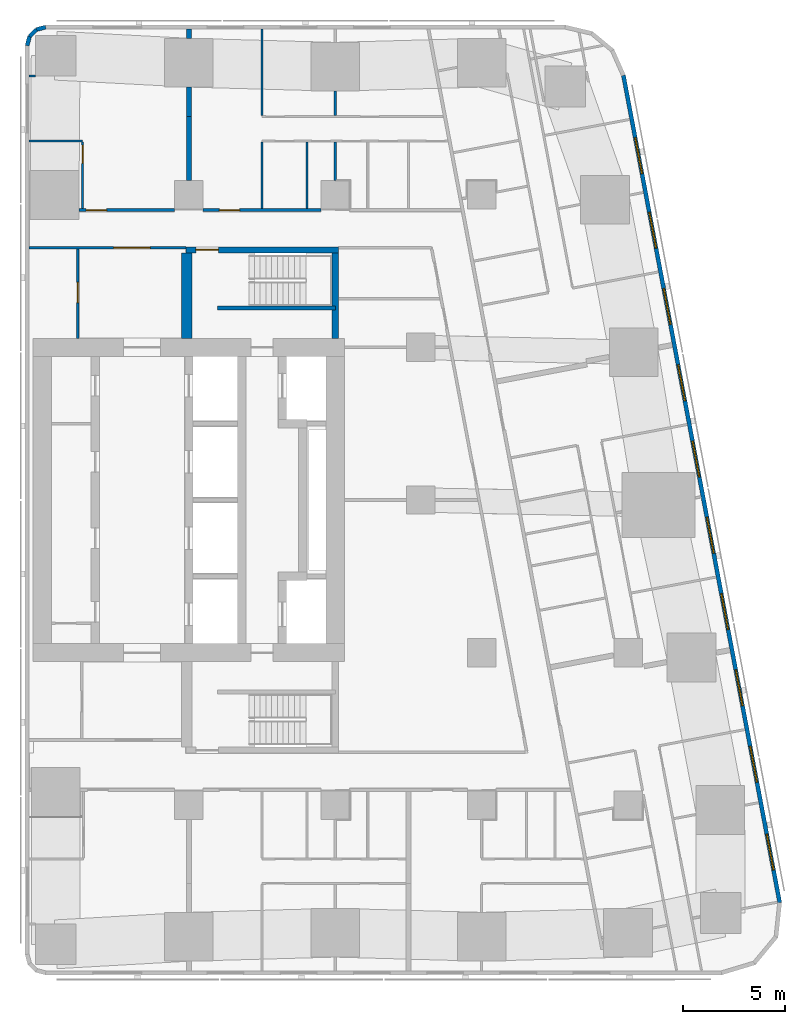
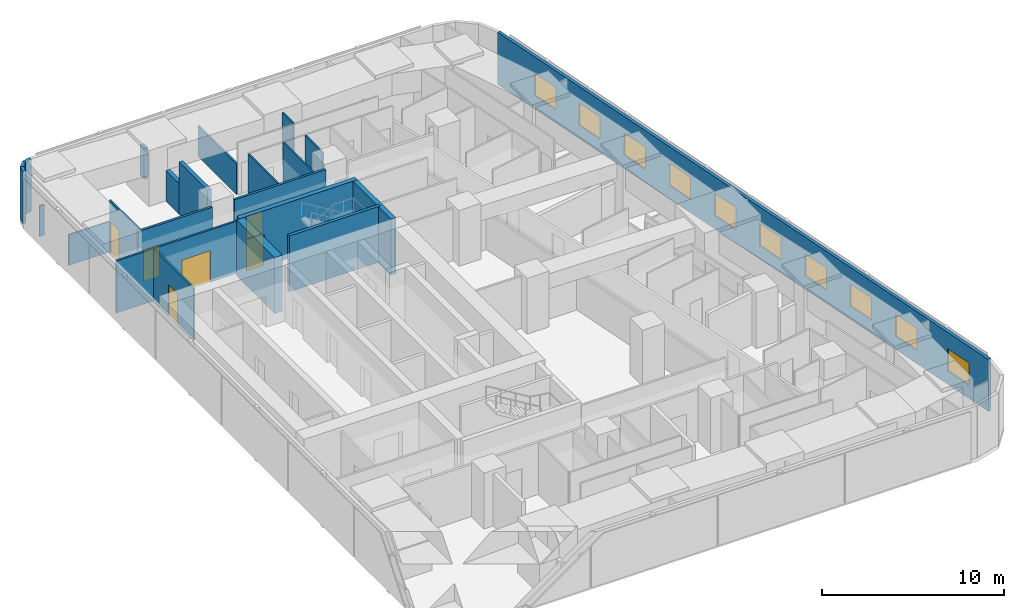
# One storey, part 6 of 10: 23 walls, 10 windows, 6 doors, 16 openings.
"""IFC4 building model written with IfcOpenShell, lengths in metres."""

from ifc_helpers import new_model, si_unit, direction, frame, frame_2d, origin, place, context, subcontext, project, spatial, rectangle, extrude, material, layer, layer_set, type_object, element, fill, save


model = new_model("IFC4")

# Units and contexts
model_context = context("Model", 3, precision=1e-05, world=origin(), true_north=direction((0.0, 1.0)))
body_context = subcontext(model_context, "Body", "Model", "MODEL_VIEW")
ifc_project = project(units=[si_unit("LENGTHUNIT", "METRE"), si_unit("AREAUNIT", "SQUARE_METRE"), si_unit("VOLUMEUNIT", "CUBIC_METRE"), si_unit("PLANEANGLEUNIT", "RADIAN"), si_unit("MASSUNIT", "GRAM", prefix="KILO")], contexts=[model_context])

# Site, building, storey
site_placement = place(None, origin())
site = spatial("IfcSite", under=ifc_project, at=site_placement, CompositionType="ELEMENT")
building_placement = place(site_placement, origin())
building = spatial("IfcBuilding", under=site, at=building_placement, Name="Sheger Commons Tower", CompositionType="ELEMENT")
storey_placement = place(building_placement, frame((0.0, 0.0, 238.699951171875)))
storey = spatial("IfcBuildingStorey", under=building, at=storey_placement, Name="L61", CompositionType="ELEMENT", Elevation=238.699951171875)

# Wall, opening, door
ifc_material_1 = material(Name="Hollow concrete block masonry, skimmed both sides", Category="masonry")
ifc_layer_1 = layer(ifc_material_1, 0.14990234375)
ifc_layer_set_1 = layer_set([ifc_layer_1], Name="CORRIDOR WALL 150")
wall_type_1 = type_object("IfcWallType", Name="CORRIDOR WALL 150", PredefinedType="SOLIDWALL", material=ifc_layer_set_1)
wall_1_placement = place(storey_placement, frame((16.200927734375, 36.75, 0.0), z_axis=(0.0, 0.0, 1.0), x_axis=(1.0, 0.0, 0.0)))
wall_1 = element("IfcWall", 1, at=wall_1_placement, inside=storey, type_object=wall_type_1, Name="Corridor wall L61", PredefinedType="SOLIDWALL", context=body_context, shape_type="SweptSolid", body=[
    extrude(rectangle(XDim=4.697998046875, YDim=0.14990234375, at=frame_2d((2.34912109375, 0.0))), origin(), (0.0, 0.0, 1.0), 3.5),
])
opening_1_placement = place(wall_1_placement, frame((0.35302734375, 0.0, 0.0)))
opening_1 = element("IfcOpeningElement", 2, at=opening_1_placement, cuts=wall_1, Name="Opening D1", PredefinedType="OPENING", context=body_context, shape_type="SweptSolid", body=[
    extrude(rectangle(XDim=1.0, YDim=2.10009765625, at=frame_2d((0.5, 1.050048828125))), frame((0.0, 0.0849609375, 0.0), z_axis=(0.0, -1.0, 0.0), x_axis=(1.0, 0.0, 0.0)), (0.0, 0.0, 1.0), 0.169921875),
])
ifc_material_2 = material(Name="Steel door set, fire rated", Category="steel")
door_type_1 = type_object("IfcDoorType", Name="FLAT ENTRANCE DOOR 1000x2100", OperationType="NOTDEFINED", PredefinedType="DOOR", material=ifc_material_2)
door_1_placement = place(opening_1_placement, origin())
door_1 = element("IfcDoor", 3, at=door_1_placement, inside=storey, type_object=door_type_1, Name="Flat entrance door", OperationType="SINGLE_SWING_RIGHT", OverallHeight=2.10009765625, OverallWidth=1.0, PredefinedType="DOOR", context=body_context, shape_type="SweptSolid", body=[
    extrude(rectangle(XDim=1.0, YDim=2.10009765625, at=frame_2d((0.5, 1.050048828125))), frame((0.0, 0.02490234375, 0.0), z_axis=(0.0, -1.0, 0.0), x_axis=(1.0, 0.0, 0.0)), (0.0, 0.0, 1.0), 0.050048828125),
])
fill(opening_1, door_1)

wall_2_placement = place(storey_placement, frame((22.301025390625, 36.75, 0.0), z_axis=(0.0, 0.0, 1.0), x_axis=(1.0, 0.0, 0.0)))
wall_2 = element("IfcWall", 4, at=wall_2_placement, inside=storey, type_object=wall_type_1, Name="Corridor wall L61", PredefinedType="SOLIDWALL", context=body_context, shape_type="SweptSolid", body=[
    extrude(rectangle(XDim=5.798095703125, YDim=0.14990234375, at=frame_2d((2.89892578125, 0.0))), origin(), (0.0, 0.0, 1.0), 3.5),
])
opening_2_placement = place(wall_2_placement, frame((0.799072265625, 0.0, 0.0)))
opening_2 = element("IfcOpeningElement", 5, at=opening_2_placement, cuts=wall_2, Name="Opening D1", PredefinedType="OPENING", context=body_context, shape_type="SweptSolid", body=[
    extrude(rectangle(XDim=1.0, YDim=2.10009765625, at=frame_2d((0.5, 1.050048828125))), frame((0.0, 0.0849609375, 0.0), z_axis=(0.0, -1.0, 0.0), x_axis=(1.0, 0.0, 0.0)), (0.0, 0.0, 1.0), 0.169921875),
])
door_2_placement = place(opening_2_placement, origin())
door_2 = element("IfcDoor", 6, at=door_2_placement, inside=storey, type_object=door_type_1, Name="Flat entrance door", OperationType="SINGLE_SWING_LEFT", OverallHeight=2.10009765625, OverallWidth=1.0, PredefinedType="DOOR", context=body_context, shape_type="SweptSolid", body=[
    extrude(rectangle(XDim=1.0, YDim=2.10009765625, at=frame_2d((0.5, 1.050048828125))), frame((0.0, 0.02490234375, 0.0), z_axis=(0.0, -1.0, 0.0), x_axis=(1.0, 0.0, 0.0)), (0.0, 0.0, 1.0), 0.050048828125),
])
fill(opening_2, door_2)

# Walls
ifc_material_3 = material(Name="Dense concrete block masonry, plastered both sides (separating wall between flats)", Category="masonry")
ifc_layer_2 = layer(ifc_material_3, 0.25)
ifc_layer_set_2 = layer_set([ifc_layer_2], Name="DEMISING WALL 250")
wall_type_2 = type_object("IfcWallType", Name="DEMISING WALL 250", PredefinedType="SOLIDWALL", material=ifc_layer_set_2)
wall_3_placement = place(storey_placement, frame((21.60009765625, 41.35009765625, 0.0), z_axis=(0.0, 0.0, 1.0), x_axis=(0.0, 1.0, 0.0)))
element("IfcWall", 7, at=wall_3_placement, inside=storey, type_object=wall_type_2, Name="Demising wall L61", PredefinedType="SOLIDWALL", context=body_context, shape_type="SweptSolid", body=[
    extrude(rectangle(XDim=1.448974609375, YDim=0.25, at=frame_2d((0.724609375, 0.0))), origin(), (0.0, 0.0, 1.0), 2.050048828125),
])
wall_4_placement = place(storey_placement, frame((21.60009765625, 45.200927734375, 0.0), z_axis=(0.0, 0.0, 1.0), x_axis=(0.0, 1.0, 0.0)))
element("IfcWall", 8, at=wall_4_placement, inside=storey, type_object=wall_type_2, Name="Demising wall L61", PredefinedType="SOLIDWALL", context=body_context, shape_type="SweptSolid", body=[
    extrude(rectangle(XDim=0.448974609375, YDim=0.25, at=frame_2d((0.224609375, 0.0))), origin(), (0.0, 0.0, 1.0), 2.050048828125),
])
wall_5_placement = place(storey_placement, frame((21.60009765625, 38.200927734375, 0.0), z_axis=(0.0, 0.0, 1.0), x_axis=(0.0, 1.0, 0.0)))
element("IfcWall", 9, at=wall_5_placement, inside=storey, type_object=wall_type_2, Name="Demising wall L61", PredefinedType="SOLIDWALL", context=body_context, shape_type="SweptSolid", body=[
    extrude(rectangle(XDim=3.149169921875, YDim=0.25, at=frame_2d((1.57470703125, 0.0))), origin(), (0.0, 0.0, 1.0), 3.5),
])

# Wall, openings, windows
ifc_material_4 = material(Name="Rendered concrete block masonry, dark grey", Category="masonry")
ifc_layer_3 = layer(ifc_material_4, 0.199951171875)
ifc_layer_set_3 = layer_set([ifc_layer_3], Name="FACADE WALL 200")
wall_type_3 = type_object("IfcWallType", Name="FACADE WALL 200", PredefinedType="SOLIDWALL", material=ifc_layer_set_3)
wall_6_placement = place(storey_placement, frame((50.653076171875, 2.702880859375, 0.0), z_axis=(0.0, 0.0, 1.0), x_axis=(-0.185612026696, 0.982623109613, 0.0)))
wall_6 = element("IfcWall", 10, at=wall_6_placement, inside=storey, type_object=wall_type_3, Name="Facade wall L61", PredefinedType="SOLIDWALL", context=body_context, shape_type="SweptSolid", body=[
    extrude(rectangle(XDim=41.393310546875, YDim=0.199951171875, at=frame_2d((20.69677734375, 0.0))), origin(), (0.0, 0.0, 1.0), 3.5),
])
opening_3_placement = place(wall_6_placement, frame((1.633056640625, 0.0, 0.89990234375)))
opening_3 = element("IfcOpeningElement", 11, at=opening_3_placement, cuts=wall_6, Name="Opening W2", PredefinedType="OPENING", context=body_context, shape_type="SweptSolid", body=[
    extrude(rectangle(XDim=1.800048828125, YDim=1.5, at=frame_2d((0.89990234375, 0.75))), frame((0.0, 0.10986328125, 0.0), z_axis=(0.0, -1.0, 0.0), x_axis=(1.0, 0.0, 0.0)), (0.0, 0.0, 1.0), 0.219970703125),
])
opening_4_placement = place(wall_6_placement, frame((6.031982421875, 0.0, 0.89990234375)))
opening_4 = element("IfcOpeningElement", 12, at=opening_4_placement, cuts=wall_6, Name="Opening W2", PredefinedType="OPENING", context=body_context, shape_type="SweptSolid", body=[
    extrude(rectangle(XDim=1.800048828125, YDim=1.5, at=frame_2d((0.89990234375, 0.75))), frame((0.0, 0.10986328125, 0.0), z_axis=(0.0, -1.0, 0.0), x_axis=(1.0, 0.0, 0.0)), (0.0, 0.0, 1.0), 0.219970703125),
])
opening_5_placement = place(wall_6_placement, frame((9.847900390625, 0.0, 0.89990234375)))
opening_5 = element("IfcOpeningElement", 13, at=opening_5_placement, cuts=wall_6, Name="Opening W2", PredefinedType="OPENING", context=body_context, shape_type="SweptSolid", body=[
    extrude(rectangle(XDim=1.800048828125, YDim=1.5, at=frame_2d((0.89990234375, 0.75))), frame((0.0, 0.10986328125, 0.0), z_axis=(0.0, -1.0, 0.0), x_axis=(1.0, 0.0, 0.0)), (0.0, 0.0, 1.0), 0.219970703125),
])
opening_6_placement = place(wall_6_placement, frame((13.6640625, 0.0, 0.89990234375)))
opening_6 = element("IfcOpeningElement", 14, at=opening_6_placement, cuts=wall_6, Name="Opening W2", PredefinedType="OPENING", context=body_context, shape_type="SweptSolid", body=[
    extrude(rectangle(XDim=1.800048828125, YDim=1.5, at=frame_2d((0.89990234375, 0.75))), frame((0.0, 0.10986328125, 0.0), z_axis=(0.0, -1.0, 0.0), x_axis=(1.0, 0.0, 0.0)), (0.0, 0.0, 1.0), 0.219970703125),
])
opening_7_placement = place(wall_6_placement, frame((17.48095703125, 0.0, 0.89990234375)))
opening_7 = element("IfcOpeningElement", 15, at=opening_7_placement, cuts=wall_6, Name="Opening W2", PredefinedType="OPENING", context=body_context, shape_type="SweptSolid", body=[
    extrude(rectangle(XDim=1.800048828125, YDim=1.5, at=frame_2d((0.89990234375, 0.75))), frame((0.0, 0.10986328125, 0.0), z_axis=(0.0, -1.0, 0.0), x_axis=(1.0, 0.0, 0.0)), (0.0, 0.0, 1.0), 0.219970703125),
])
opening_8_placement = place(wall_6_placement, frame((21.297119140625, 0.0, 0.89990234375)))
opening_8 = element("IfcOpeningElement", 16, at=opening_8_placement, cuts=wall_6, Name="Opening W2", PredefinedType="OPENING", context=body_context, shape_type="SweptSolid", body=[
    extrude(rectangle(XDim=1.800048828125, YDim=1.5, at=frame_2d((0.89990234375, 0.75))), frame((0.0, 0.10986328125, 0.0), z_axis=(0.0, -1.0, 0.0), x_axis=(1.0, 0.0, 0.0)), (0.0, 0.0, 1.0), 0.219970703125),
])
opening_9_placement = place(wall_6_placement, frame((25.113037109375, 0.0, 0.89990234375)))
opening_9 = element("IfcOpeningElement", 17, at=opening_9_placement, cuts=wall_6, Name="Opening W2", PredefinedType="OPENING", context=body_context, shape_type="SweptSolid", body=[
    extrude(rectangle(XDim=1.800048828125, YDim=1.5, at=frame_2d((0.89990234375, 0.75))), frame((0.0, 0.10986328125, 0.0), z_axis=(0.0, -1.0, 0.0), x_axis=(1.0, 0.0, 0.0)), (0.0, 0.0, 1.0), 0.219970703125),
])
opening_10_placement = place(wall_6_placement, frame((28.929931640625, 0.0, 0.89990234375)))
opening_10 = element("IfcOpeningElement", 18, at=opening_10_placement, cuts=wall_6, Name="Opening W2", PredefinedType="OPENING", context=body_context, shape_type="SweptSolid", body=[
    extrude(rectangle(XDim=1.800048828125, YDim=1.5, at=frame_2d((0.89990234375, 0.75))), frame((0.0, 0.10986328125, 0.0), z_axis=(0.0, -1.0, 0.0), x_axis=(1.0, 0.0, 0.0)), (0.0, 0.0, 1.0), 0.219970703125),
])
opening_11_placement = place(wall_6_placement, frame((32.74609375, 0.0, 0.89990234375)))
opening_11 = element("IfcOpeningElement", 19, at=opening_11_placement, cuts=wall_6, Name="Opening W2", PredefinedType="OPENING", context=body_context, shape_type="SweptSolid", body=[
    extrude(rectangle(XDim=1.800048828125, YDim=1.5, at=frame_2d((0.89990234375, 0.75))), frame((0.0, 0.10986328125, 0.0), z_axis=(0.0, -1.0, 0.0), x_axis=(1.0, 0.0, 0.0)), (0.0, 0.0, 1.0), 0.219970703125),
])
opening_12_placement = place(wall_6_placement, frame((36.48095703125, 0.0, 0.89990234375)))
opening_12 = element("IfcOpeningElement", 20, at=opening_12_placement, cuts=wall_6, Name="Opening W2", PredefinedType="OPENING", context=body_context, shape_type="SweptSolid", body=[
    extrude(rectangle(XDim=1.800048828125, YDim=1.5, at=frame_2d((0.89990234375, 0.75))), frame((0.0, 0.10986328125, 0.0), z_axis=(0.0, -1.0, 0.0), x_axis=(1.0, 0.0, 0.0)), (0.0, 0.0, 1.0), 0.219970703125),
])
ifc_material_5 = material(Name="Black aluminium frame, dark tinted double glazing", Category="aluminium")
window_type = type_object("IfcWindowType", Name="WINDOW W2 1800x1500", PartitioningType="SINGLE_PANEL", PredefinedType="WINDOW", material=ifc_material_5)
window_1_placement = place(opening_3_placement, origin())
window_1 = element("IfcWindow", 21, at=window_1_placement, inside=storey, type_object=window_type, Name="Window W2 1800X1500", OverallHeight=1.5, OverallWidth=1.800048828125, PartitioningType="SINGLE_PANEL", PredefinedType="WINDOW", context=body_context, shape_type="SweptSolid", body=[
    extrude(rectangle(XDim=1.800048828125, YDim=1.5, at=frame_2d((0.89990234375, 0.75))), frame((0.0, 0.030029296875, 0.0), z_axis=(0.0, -1.0, 0.0), x_axis=(1.0, 0.0, 0.0)), (0.0, 0.0, 1.0), 0.06005859375),
])
fill(opening_3, window_1)
window_2_placement = place(opening_4_placement, origin())
window_2 = element("IfcWindow", 22, at=window_2_placement, inside=storey, type_object=window_type, Name="Window W2 1800X1500", OverallHeight=1.5, OverallWidth=1.800048828125, PartitioningType="SINGLE_PANEL", PredefinedType="WINDOW", context=body_context, shape_type="SweptSolid", body=[
    extrude(rectangle(XDim=1.800048828125, YDim=1.5, at=frame_2d((0.89990234375, 0.75))), frame((0.0, 0.030029296875, 0.0), z_axis=(0.0, -1.0, 0.0), x_axis=(1.0, 0.0, 0.0)), (0.0, 0.0, 1.0), 0.06005859375),
])
fill(opening_4, window_2)
window_3_placement = place(opening_5_placement, origin())
window_3 = element("IfcWindow", 23, at=window_3_placement, inside=storey, type_object=window_type, Name="Window W2 1800X1500", OverallHeight=1.5, OverallWidth=1.800048828125, PartitioningType="SINGLE_PANEL", PredefinedType="WINDOW", context=body_context, shape_type="SweptSolid", body=[
    extrude(rectangle(XDim=1.800048828125, YDim=1.5, at=frame_2d((0.89990234375, 0.75))), frame((0.0, 0.030029296875, 0.0), z_axis=(0.0, -1.0, 0.0), x_axis=(1.0, 0.0, 0.0)), (0.0, 0.0, 1.0), 0.06005859375),
])
fill(opening_5, window_3)
window_4_placement = place(opening_6_placement, origin())
window_4 = element("IfcWindow", 24, at=window_4_placement, inside=storey, type_object=window_type, Name="Window W2 1800X1500", OverallHeight=1.5, OverallWidth=1.800048828125, PartitioningType="SINGLE_PANEL", PredefinedType="WINDOW", context=body_context, shape_type="SweptSolid", body=[
    extrude(rectangle(XDim=1.800048828125, YDim=1.5, at=frame_2d((0.89990234375, 0.75))), frame((0.0, 0.030029296875, 0.0), z_axis=(0.0, -1.0, 0.0), x_axis=(1.0, 0.0, 0.0)), (0.0, 0.0, 1.0), 0.06005859375),
])
fill(opening_6, window_4)
window_5_placement = place(opening_7_placement, origin())
window_5 = element("IfcWindow", 25, at=window_5_placement, inside=storey, type_object=window_type, Name="Window W2 1800X1500", OverallHeight=1.5, OverallWidth=1.800048828125, PartitioningType="SINGLE_PANEL", PredefinedType="WINDOW", context=body_context, shape_type="SweptSolid", body=[
    extrude(rectangle(XDim=1.800048828125, YDim=1.5, at=frame_2d((0.89990234375, 0.75))), frame((0.0, 0.030029296875, 0.0), z_axis=(0.0, -1.0, 0.0), x_axis=(1.0, 0.0, 0.0)), (0.0, 0.0, 1.0), 0.06005859375),
])
fill(opening_7, window_5)
window_6_placement = place(opening_8_placement, origin())
window_6 = element("IfcWindow", 26, at=window_6_placement, inside=storey, type_object=window_type, Name="Window W2 1800X1500", OverallHeight=1.5, OverallWidth=1.800048828125, PartitioningType="SINGLE_PANEL", PredefinedType="WINDOW", context=body_context, shape_type="SweptSolid", body=[
    extrude(rectangle(XDim=1.800048828125, YDim=1.5, at=frame_2d((0.89990234375, 0.75))), frame((0.0, 0.030029296875, 0.0), z_axis=(0.0, -1.0, 0.0), x_axis=(1.0, 0.0, 0.0)), (0.0, 0.0, 1.0), 0.06005859375),
])
fill(opening_8, window_6)
window_7_placement = place(opening_9_placement, origin())
window_7 = element("IfcWindow", 27, at=window_7_placement, inside=storey, type_object=window_type, Name="Window W2 1800X1500", OverallHeight=1.5, OverallWidth=1.800048828125, PartitioningType="SINGLE_PANEL", PredefinedType="WINDOW", context=body_context, shape_type="SweptSolid", body=[
    extrude(rectangle(XDim=1.800048828125, YDim=1.5, at=frame_2d((0.89990234375, 0.75))), frame((0.0, 0.030029296875, 0.0), z_axis=(0.0, -1.0, 0.0), x_axis=(1.0, 0.0, 0.0)), (0.0, 0.0, 1.0), 0.06005859375),
])
fill(opening_9, window_7)
window_8_placement = place(opening_10_placement, origin())
window_8 = element("IfcWindow", 28, at=window_8_placement, inside=storey, type_object=window_type, Name="Window W2 1800X1500", OverallHeight=1.5, OverallWidth=1.800048828125, PartitioningType="SINGLE_PANEL", PredefinedType="WINDOW", context=body_context, shape_type="SweptSolid", body=[
    extrude(rectangle(XDim=1.800048828125, YDim=1.5, at=frame_2d((0.89990234375, 0.75))), frame((0.0, 0.030029296875, 0.0), z_axis=(0.0, -1.0, 0.0), x_axis=(1.0, 0.0, 0.0)), (0.0, 0.0, 1.0), 0.06005859375),
])
fill(opening_10, window_8)
window_9_placement = place(opening_11_placement, origin())
window_9 = element("IfcWindow", 29, at=window_9_placement, inside=storey, type_object=window_type, Name="Window W2 1800X1500", OverallHeight=1.5, OverallWidth=1.800048828125, PartitioningType="SINGLE_PANEL", PredefinedType="WINDOW", context=body_context, shape_type="SweptSolid", body=[
    extrude(rectangle(XDim=1.800048828125, YDim=1.5, at=frame_2d((0.89990234375, 0.75))), frame((0.0, 0.030029296875, 0.0), z_axis=(0.0, -1.0, 0.0), x_axis=(1.0, 0.0, 0.0)), (0.0, 0.0, 1.0), 0.06005859375),
])
fill(opening_11, window_9)
window_10_placement = place(opening_12_placement, origin())
window_10 = element("IfcWindow", 30, at=window_10_placement, inside=storey, type_object=window_type, Name="Window W2 1800X1500", OverallHeight=1.5, OverallWidth=1.800048828125, PartitioningType="SINGLE_PANEL", PredefinedType="WINDOW", context=body_context, shape_type="SweptSolid", body=[
    extrude(rectangle(XDim=1.800048828125, YDim=1.5, at=frame_2d((0.89990234375, 0.75))), frame((0.0, 0.030029296875, 0.0), z_axis=(0.0, -1.0, 0.0), x_axis=(1.0, 0.0, 0.0)), (0.0, 0.0, 1.0), 0.06005859375),
])
fill(opening_12, window_10)

# Walls
wall_7_placement = place(storey_placement, frame((14.56298828125, 45.75, 0.0), z_axis=(0.0, 0.0, 1.0), x_axis=(-0.965655254015, -0.259826731483, 0.0)))
element("IfcWall", 31, at=wall_7_placement, inside=storey, type_object=wall_type_3, Name="Facade wall L61", PredefinedType="SOLIDWALL", context=body_context, shape_type="SweptSolid", body=[
    extrude(rectangle(XDim=0.477294921875, YDim=0.199951171875, at=frame_2d((0.23876953125, 0.0))), origin(), (0.0, 0.0, 1.0), 3.5),
])
wall_8_placement = place(storey_placement, frame((14.10205078125, 45.6259765625, 0.0), z_axis=(0.0, 0.0, 1.0), x_axis=(-0.707369890659, -0.706843573776, 0.0)))
element("IfcWall", 32, at=wall_8_placement, inside=storey, type_object=wall_type_3, Name="Facade wall L61", PredefinedType="SOLIDWALL", context=body_context, shape_type="SweptSolid", body=[
    extrude(rectangle(XDim=0.4638671875, YDim=0.199951171875, at=frame_2d((0.23193359375, 0.0))), origin(), (0.0, 0.0, 1.0), 3.5),
])
wall_9_placement = place(storey_placement, frame((13.77392578125, 45.298095703125, 0.0), z_axis=(0.0, 0.0, 1.0), x_axis=(-0.259698463175, -0.965689757751, 0.0)))
element("IfcWall", 33, at=wall_9_placement, inside=storey, type_object=wall_type_3, Name="Facade wall L61", PredefinedType="SOLIDWALL", context=body_context, shape_type="SweptSolid", body=[
    extrude(rectangle(XDim=0.4775390625, YDim=0.199951171875, at=frame_2d((0.23876953125, 0.0))), origin(), (0.0, 0.0, 1.0), 3.5),
])
ifc_material_6 = material(Name="Gypsum board on steel studs", Category="steel")
ifc_layer_4 = layer(ifc_material_6, 0.10009765625)
ifc_layer_set_4 = layer_set([ifc_layer_4], Name="PARTITION 100")
wall_type_4 = type_object("IfcWallType", Name="PARTITION 100", PredefinedType="PARTITIONING", material=ifc_layer_set_4)
wall_10_placement = place(storey_placement, frame((14.053955078125, 43.345947265625, 0.0), z_axis=(0.0, 0.0, 1.0), x_axis=(-1.0, 0.0, 0.0)))
element("IfcWall", 34, at=wall_10_placement, inside=storey, type_object=wall_type_4, Name="Partition L61", PredefinedType="PARTITIONING", context=body_context, shape_type="SweptSolid", body=[
    extrude(rectangle(XDim=0.303955078125, YDim=0.10009765625, at=frame_2d((0.15185546875, 0.0))), origin(), (0.0, 0.0, 1.0), 2.050048828125),
])
wall_11_placement = place(storey_placement, frame((13.75, 40.14990234375, 0.0), z_axis=(0.0, 0.0, 1.0), x_axis=(1.0, 0.0, 0.0)))
element("IfcWall", 35, at=wall_11_placement, inside=storey, type_object=wall_type_4, Name="Partition L61", PredefinedType="PARTITIONING", context=body_context, shape_type="SweptSolid", body=[
    extrude(rectangle(XDim=2.62890625, YDim=0.10009765625, at=frame_2d((1.314453125, 0.0))), origin(), (0.0, 0.0, 1.0), 2.050048828125),
])

# Wall, opening, door
wall_12_placement = place(storey_placement, frame((16.37890625, 36.824951171875, 0.0), z_axis=(0.0, 0.0, 1.0), x_axis=(0.0, 1.0, 0.0)))
wall_12 = element("IfcWall", 36, at=wall_12_placement, inside=storey, type_object=wall_type_4, Name="Partition L61", PredefinedType="PARTITIONING", context=body_context, shape_type="SweptSolid", body=[
    extrude(rectangle(XDim=3.275146484375, YDim=0.10009765625, at=frame_2d((1.6376953125, 0.0))), origin(), (0.0, 0.0, 1.0), 3.5),
])
opening_13_placement = place(wall_12_placement, frame((2.22509765625, 0.0, 0.0)))
opening_13 = element("IfcOpeningElement", 37, at=opening_13_placement, cuts=wall_12, Name="Opening D2", PredefinedType="OPENING", context=body_context, shape_type="SweptSolid", body=[
    extrude(rectangle(XDim=0.89990234375, YDim=2.10009765625, at=frame_2d((0.449951171875, 1.050048828125))), frame((0.0, 0.06005859375, 0.0), z_axis=(0.0, -1.0, 0.0), x_axis=(1.0, 0.0, 0.0)), (0.0, 0.0, 1.0), 0.1201171875),
])
ifc_material_7 = material(Name="Timber door set", Category="wood")
door_type_2 = type_object("IfcDoorType", Name="INTERNAL DOOR 900x2100", OperationType="NOTDEFINED", PredefinedType="DOOR", material=ifc_material_7)
door_3_placement = place(opening_13_placement, origin())
door_3 = element("IfcDoor", 38, at=door_3_placement, inside=storey, type_object=door_type_2, Name="Shower room door", OperationType="SINGLE_SWING_RIGHT", OverallHeight=2.10009765625, OverallWidth=0.89990234375, PredefinedType="DOOR", context=body_context, shape_type="SweptSolid", body=[
    extrude(rectangle(XDim=0.89990234375, YDim=2.10009765625, at=frame_2d((0.449951171875, 1.050048828125))), frame((0.0, 0.02490234375, 0.0), z_axis=(0.0, -1.0, 0.0), x_axis=(1.0, 0.0, 0.0)), (0.0, 0.0, 1.0), 0.050048828125),
])
fill(opening_13, door_3)

# Walls
wall_13_placement = place(storey_placement, frame((25.199951171875, 41.39990234375, 0.0), z_axis=(0.0, 0.0, 1.0), x_axis=(0.0, 1.0, 0.0)))
element("IfcWall", 39, at=wall_13_placement, inside=storey, type_object=wall_type_4, Name="Partition L61", PredefinedType="PARTITIONING", context=body_context, shape_type="SweptSolid", body=[
    extrude(rectangle(XDim=4.25, YDim=0.10009765625, at=frame_2d((2.125, 0.0))), origin(), (0.0, 0.0, 1.0), 2.050048828125),
])
wall_14_placement = place(storey_placement, frame((28.800048828125, 41.39990234375, 0.0), z_axis=(0.0, 0.0, 1.0), x_axis=(0.0, 1.0, 0.0)))
element("IfcWall", 40, at=wall_14_placement, inside=storey, type_object=wall_type_4, Name="Partition L61", PredefinedType="PARTITIONING", context=body_context, shape_type="SweptSolid", body=[
    extrude(rectangle(XDim=1.19921875, YDim=0.10009765625, at=frame_2d((0.599609375, 0.0))), origin(), (0.0, 0.0, 1.0), 3.5),
])
wall_15_placement = place(storey_placement, frame((25.199951171875, 36.824951171875, 0.0), z_axis=(0.0, 0.0, 1.0), x_axis=(0.0, 1.0, 0.0)))
element("IfcWall", 41, at=wall_15_placement, inside=storey, type_object=wall_type_4, Name="Partition L61", PredefinedType="PARTITIONING", context=body_context, shape_type="SweptSolid", body=[
    extrude(rectangle(XDim=3.275146484375, YDim=0.10009765625, at=frame_2d((1.6376953125, 0.0))), origin(), (0.0, 0.0, 1.0), 3.5),
])
wall_16_placement = place(storey_placement, frame((28.800048828125, 38.200927734375, 0.0), z_axis=(0.0, 0.0, 1.0), x_axis=(0.0, 1.0, 0.0)))
element("IfcWall", 42, at=wall_16_placement, inside=storey, type_object=wall_type_4, Name="Partition L61", PredefinedType="PARTITIONING", context=body_context, shape_type="SweptSolid", body=[
    extrude(rectangle(XDim=1.899169921875, YDim=0.10009765625, at=frame_2d((0.94970703125, 0.0))), origin(), (0.0, 0.0, 1.0), 3.5),
])
wall_17_placement = place(storey_placement, frame((27.409912109375, 36.824951171875, 0.0), z_axis=(0.0, 0.0, 1.0), x_axis=(0.0, 1.0, 0.0)))
element("IfcWall", 43, at=wall_17_placement, inside=storey, type_object=wall_type_4, Name="Partition L61", PredefinedType="PARTITIONING", context=body_context, shape_type="SweptSolid", body=[
    extrude(rectangle(XDim=3.275146484375, YDim=0.10009765625, at=frame_2d((1.6376953125, 0.0))), origin(), (0.0, 0.0, 1.0), 3.5),
])

# Wall, opening, door
ifc_material_8 = material(Name="Gypsum board on steel studs, two layers each side, fire rated", Category="steel")
ifc_layer_5 = layer(ifc_material_8, 0.125)
ifc_layer_set_5 = layer_set([ifc_layer_5], Name="SERVICE WALL 125")
wall_type_5 = type_object("IfcWallType", Name="SERVICE WALL 125", PredefinedType="PARTITIONING", material=ifc_layer_set_5)
wall_18_placement = place(storey_placement, frame((13.75, 34.89990234375, 0.0), z_axis=(0.0, 0.0, 1.0), x_axis=(1.0, 0.0, 0.0)))
wall_18 = element("IfcWall", 44, at=wall_18_placement, inside=storey, type_object=wall_type_5, Name="Service room wall L61", PredefinedType="PARTITIONING", context=body_context, shape_type="SweptSolid", body=[
    extrude(rectangle(XDim=7.699951171875, YDim=0.125, at=frame_2d((3.85009765625, 0.0))), origin(), (0.0, 0.0, 1.0), 3.5),
])
opening_14_placement = place(wall_18_placement, frame((4.14990234375, 0.0, 0.0)))
opening_14 = element("IfcOpeningElement", 45, at=opening_14_placement, cuts=wall_18, Name="Opening D6", PredefinedType="OPENING", context=body_context, shape_type="SweptSolid", body=[
    extrude(rectangle(XDim=1.800048828125, YDim=2.10009765625, at=frame_2d((0.89990234375, 1.050048828125))), frame((0.0, 0.072509765625, 0.0), z_axis=(0.0, -1.0, 0.0), x_axis=(1.0, 0.0, 0.0)), (0.0, 0.0, 1.0), 0.14501953125),
])
ifc_material_9 = material(Name="Steel door set, fire rated", Category="steel")
door_type_3 = type_object("IfcDoorType", Name="LOBBY DOUBLE DOOR 1800x2100", OperationType="DOUBLE_DOOR_SINGLE_SWING", PredefinedType="DOOR", material=ifc_material_9)
door_4_placement = place(opening_14_placement, origin())
door_4 = element("IfcDoor", 46, at=door_4_placement, inside=storey, type_object=door_type_3, Name="Lift lobby north door", OperationType="DOUBLE_DOOR_SINGLE_SWING", OverallHeight=2.10009765625, OverallWidth=1.800048828125, PredefinedType="DOOR", context=body_context, shape_type="SweptSolid", body=[
    extrude(rectangle(XDim=1.800048828125, YDim=2.10009765625, at=frame_2d((0.89990234375, 1.050048828125))), frame((0.0, 0.02490234375, 0.0), z_axis=(0.0, -1.0, 0.0), x_axis=(1.0, 0.0, 0.0)), (0.0, 0.0, 1.0), 0.050048828125),
])
fill(opening_14, door_4)

wall_19_placement = place(storey_placement, frame((16.14990234375, 30.449951171875, 0.0), z_axis=(0.0, 0.0, 1.0), x_axis=(0.0, 1.0, 0.0)))
wall_19 = element("IfcWall", 47, at=wall_19_placement, inside=storey, type_object=wall_type_5, Name="Service room wall L61", PredefinedType="PARTITIONING", context=body_context, shape_type="SweptSolid", body=[
    extrude(rectangle(XDim=4.386962890625, YDim=0.125, at=frame_2d((2.193359375, 0.0))), origin(), (0.0, 0.0, 1.0), 3.5),
])
opening_15_placement = place(wall_19_placement, frame((1.75, 0.0, 0.0)))
opening_15 = element("IfcOpeningElement", 48, at=opening_15_placement, cuts=wall_19, Name="Opening D4", PredefinedType="OPENING", context=body_context, shape_type="SweptSolid", body=[
    extrude(rectangle(XDim=1.0, YDim=2.10009765625, at=frame_2d((0.5, 1.050048828125))), frame((0.0, 0.072509765625, 0.0), z_axis=(0.0, -1.0, 0.0), x_axis=(1.0, 0.0, 0.0)), (0.0, 0.0, 1.0), 0.14501953125),
])
ifc_material_10 = material(Name="Steel door set, fire rated", Category="steel")
door_type_4 = type_object("IfcDoorType", Name="SERVICE DOOR 1000x2100", OperationType="NOTDEFINED", PredefinedType="DOOR", material=ifc_material_10)
door_5_placement = place(opening_15_placement, origin())
door_5 = element("IfcDoor", 49, at=door_5_placement, inside=storey, type_object=door_type_4, Name="Telecom room door", OperationType="SINGLE_SWING_RIGHT", OverallHeight=2.10009765625, OverallWidth=1.0, PredefinedType="DOOR", context=body_context, shape_type="SweptSolid", body=[
    extrude(rectangle(XDim=1.0, YDim=2.10009765625, at=frame_2d((0.5, 1.050048828125))), frame((0.0, 0.02490234375, 0.0), z_axis=(0.0, -1.0, 0.0), x_axis=(1.0, 0.0, 0.0)), (0.0, 0.0, 1.0), 0.050048828125),
])
fill(opening_15, door_5)

ifc_material_11 = material(Name="Concrete C50/60", Category="concrete")
ifc_layer_6 = layer(ifc_material_11, 0.300048828125)
ifc_layer_set_6 = layer_set([ifc_layer_6], Name="STAIR CORE WALL 300")
wall_type_6 = type_object("IfcWallType", Name="STAIR CORE WALL 300", PredefinedType="SHEAR", material=ifc_layer_set_6)
wall_20_placement = place(storey_placement, frame((21.449951171875, 34.800048828125, 0.0), z_axis=(0.0, 0.0, 1.0), x_axis=(1.0, 0.0, 0.0)))
wall_20 = element("IfcWall", 50, at=wall_20_placement, inside=storey, type_object=wall_type_6, Name="STW-L61-S2N", PredefinedType="SHEAR", context=body_context, shape_type="SweptSolid", body=[
    extrude(rectangle(XDim=7.5, YDim=0.300048828125, at=frame_2d((3.75, 0.0))), origin(), (0.0, 0.0, 1.0), 3.75),
])
opening_16_placement = place(wall_20_placement, frame((0.5, 0.0, 0.0)))
opening_16 = element("IfcOpeningElement", 51, at=opening_16_placement, cuts=wall_20, Name="Opening D5", PredefinedType="OPENING", context=body_context, shape_type="SweptSolid", body=[
    extrude(rectangle(XDim=1.10009765625, YDim=2.10009765625, at=frame_2d((0.550048828125, 1.050048828125))), frame((0.0, 0.159912109375, 0.0), z_axis=(0.0, -1.0, 0.0), x_axis=(1.0, 0.0, 0.0)), (0.0, 0.0, 1.0), 0.320068359375),
])
ifc_material_12 = material(Name="Steel door set, fire rated", Category="steel")
door_type_5 = type_object("IfcDoorType", Name="STAIR DOOR 1100x2100", OperationType="NOTDEFINED", PredefinedType="DOOR", material=ifc_material_12)
door_6_placement = place(opening_16_placement, origin())
door_6 = element("IfcDoor", 52, at=door_6_placement, inside=storey, type_object=door_type_5, Name="Stair S2 door", OperationType="SINGLE_SWING_RIGHT", OverallHeight=2.10009765625, OverallWidth=1.10009765625, PredefinedType="DOOR", context=body_context, shape_type="SweptSolid", body=[
    extrude(rectangle(XDim=1.10009765625, YDim=2.10009765625, at=frame_2d((0.550048828125, 1.050048828125))), frame((0.0, 0.02490234375, 0.0), z_axis=(0.0, -1.0, 0.0), x_axis=(1.0, 0.0, 0.0)), (0.0, 0.0, 1.0), 0.050048828125),
])
fill(opening_16, door_6)

# Walls
wall_21_placement = place(storey_placement, frame((28.800048828125, 30.449951171875, 0.0), z_axis=(0.0, 0.0, 1.0), x_axis=(0.0, 1.0, 0.0)))
element("IfcWall", 53, at=wall_21_placement, inside=storey, type_object=wall_type_6, Name="STW-L61-S2E", PredefinedType="SHEAR", context=body_context, shape_type="SweptSolid", body=[
    extrude(rectangle(XDim=4.199951171875, YDim=0.300048828125, at=frame_2d((2.10009765625, 0.0))), origin(), (0.0, 0.0, 1.0), 3.75),
])
ifc_material_13 = material(Name="Concrete C50/60", Category="concrete")
ifc_layer_7 = layer(ifc_material_13, 0.5)
ifc_layer_set_7 = layer_set([ifc_layer_7], Name="STAIR CORE WALL 500")
wall_type_7 = type_object("IfcWallType", Name="STAIR CORE WALL 500", PredefinedType="SHEAR", material=ifc_layer_set_7)
wall_22_placement = place(storey_placement, frame((21.5, 30.449951171875, 0.0), z_axis=(0.0, 0.0, 1.0), x_axis=(0.0, 1.0, 0.0)))
element("IfcWall", 54, at=wall_22_placement, inside=storey, type_object=wall_type_7, Name="STW-L61-S2W", PredefinedType="SHEAR", context=body_context, shape_type="SweptSolid", body=[
    extrude(rectangle(XDim=4.199951171875, YDim=0.5, at=frame_2d((2.10009765625, 0.0))), origin(), (0.0, 0.0, 1.0), 3.75),
])
ifc_material_14 = material(Name="Concrete C50/60", Category="concrete")
ifc_layer_8 = layer(ifc_material_14, 0.199951171875)
ifc_layer_set_8 = layer_set([ifc_layer_8], Name="STAIR SPINE WALL 200")
wall_type_8 = type_object("IfcWallType", Name="STAIR SPINE WALL 200", PredefinedType="SHEAR", material=ifc_layer_set_8)
wall_23_placement = place(storey_placement, frame((23.0, 31.949951171875, 0.0), z_axis=(0.0, 0.0, 1.0), x_axis=(1.0, 0.0, 0.0)))
element("IfcWall", 55, at=wall_23_placement, inside=storey, type_object=wall_type_8, Name="Stair spine wall L61", PredefinedType="SHEAR", context=body_context, shape_type="SweptSolid", body=[
    extrude(rectangle(XDim=5.800048828125, YDim=0.199951171875, at=frame_2d((2.89990234375, 0.0))), origin(), (0.0, 0.0, 1.0), 3.75),
])

save(model, "model.ifc")
